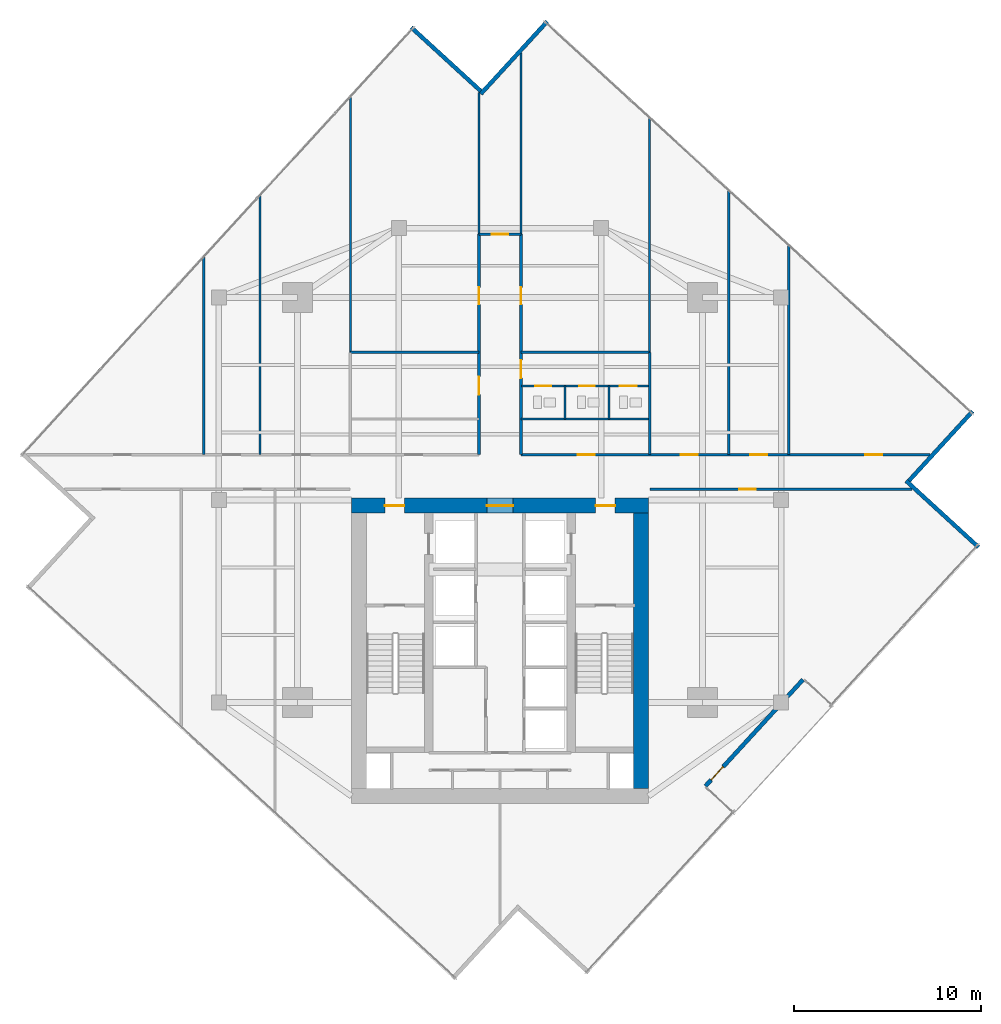
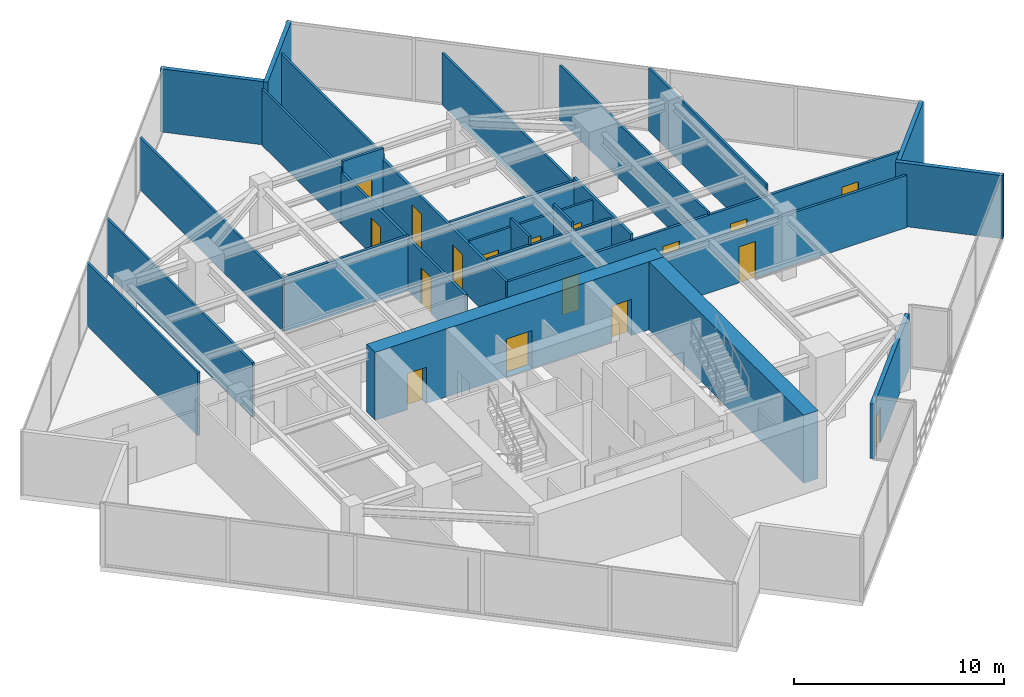
# One storey, part 23 of 26: 27 walls, 17 doors, 17 openings.
"""IFC4 building model written with IfcOpenShell, lengths in metres."""

from ifc_helpers import new_model, si_unit, direction, frame, frame_2d, origin, place, context, subcontext, project, spatial, rectangle, extrude, material, layer, layer_set, type_object, element, fill, save


model = new_model("IFC4")

# Units and contexts
model_context = context("Model", 3, precision=1e-05, world=origin(), true_north=direction((0.0, 1.0)))
body_context = subcontext(model_context, "Body", "Model", "MODEL_VIEW")
ifc_project = project(units=[si_unit("LENGTHUNIT", "METRE"), si_unit("AREAUNIT", "SQUARE_METRE"), si_unit("VOLUMEUNIT", "CUBIC_METRE"), si_unit("PLANEANGLEUNIT", "RADIAN"), si_unit("MASSUNIT", "GRAM", prefix="KILO")], contexts=[model_context])

# Site, building, storey
site_placement = place(None, origin())
site = spatial("IfcSite", under=ifc_project, at=site_placement, CompositionType="ELEMENT")
building_placement = place(site_placement, origin())
building = spatial("IfcBuilding", under=site, at=building_placement, Name="Krantzveldt Concourse Tower", CompositionType="ELEMENT")
storey_placement = place(building_placement, frame((0.0, 0.0, 219.14990234375)))
storey = spatial("IfcBuildingStorey", under=building, at=storey_placement, Name="L53", CompositionType="ELEMENT", Elevation=219.14990234375)

# Wall
ifc_material_1 = material(Name="Anodised aluminium 6063-T6", Category="aluminium")
ifc_layer_1 = layer(ifc_material_1, 0.219970703125, Name="Anodised aluminium 6063-T6", Category="aluminium")
ifc_layer_set_1 = layer_set([ifc_layer_1], Name="Anodised aluminium 6063-T6 (WL-EXT-NOTCH220)")
wall_type_1 = type_object("IfcWallType", Name="WL-EXT-NOTCH220", PredefinedType="ELEMENTEDWALL", material=ifc_layer_set_1)
wall_1_placement = place(storey_placement, frame((34.969482421875, 48.518310546875, 0.0), z_axis=(0.0, 0.0, 1.0), x_axis=(-0.737285215553, 0.675581609375, 0.0)))
element("IfcWall", 1, at=wall_1_placement, inside=storey, type_object=wall_type_1, Name="EW-L53-NCH00", PredefinedType="ELEMENTEDWALL", context=body_context, shape_type="SweptSolid", body=[
    extrude(rectangle(XDim=5.02490234375, YDim=0.219970703125, at=frame_2d((2.512451171875, 0.0))), origin(), (0.0, 0.0, 1.0), 3.670166015625),
])

# Wall, opening, door
wall_2_placement = place(storey_placement, frame((52.15625, 17.11083984375, 0.0), z_axis=(0.0, 0.0, 1.0), x_axis=(-0.675590917682, -0.737276686153, 0.0)))
wall_2 = element("IfcWall", 2, at=wall_2_placement, inside=storey, type_object=wall_type_1, Name="EW-L53-TSLOT", PredefinedType="ELEMENTEDWALL", context=body_context, shape_type="SweptSolid", body=[
    extrude(rectangle(XDim=7.68994140625, YDim=0.219970703125, at=frame_2d((3.844970703125, 0.0))), origin(), (0.0, 0.0, 1.0), 3.18017578125),
])
opening_1_placement = place(wall_2_placement, frame((6.2900390625, 0.0, 0.0)))
opening_1 = element("IfcOpeningElement", 3, at=opening_1_placement, cuts=wall_2, Name="Opening D-EX95", PredefinedType="OPENING", context=body_context, shape_type="SweptSolid", body=[
    extrude(rectangle(XDim=0.949951171875, YDim=2.10009765625, at=frame_2d((0.47509765625, 1.050048828125))), frame((0.0, 0.1201171875, 0.0), z_axis=(0.0, -1.0, 0.0), x_axis=(1.0, 0.0, 0.0)), (0.0, 0.0, 1.0), 0.239990234375),
])
door_type_1 = type_object("IfcDoorType", Name="DR-EXT-950", OperationType="SINGLE_SWING_LEFT", PredefinedType="DOOR", material=ifc_material_1)
door_1_placement = place(opening_1_placement, origin())
door_1 = element("IfcDoor", 4, at=door_1_placement, inside=storey, type_object=door_type_1, Name="DR-L53-TERR", OperationType="SINGLE_SWING_LEFT", OverallHeight=2.10009765625, OverallWidth=0.949951171875, PredefinedType="DOOR", context=body_context, shape_type="SweptSolid", body=[
    extrude(rectangle(XDim=0.949951171875, YDim=2.10009765625, at=frame_2d((0.47509765625, 1.050048828125))), frame((0.0, 0.02490234375, 0.0), z_axis=(0.0, -1.0, 0.0), x_axis=(1.0, 0.0, 0.0)), (0.0, 0.0, 1.0), 0.050048828125),
])
fill(opening_1, door_1)

# Walls
wall_3_placement = place(storey_placement, frame((61.530029296875, 24.18017578125, 0.0), z_axis=(0.0, 0.0, 1.0), x_axis=(-0.737293236511, 0.675572855727, 0.0)))
element("IfcWall", 5, at=wall_3_placement, inside=storey, type_object=wall_type_1, Name="EW-L53-NCH12", PredefinedType="ELEMENTEDWALL", context=body_context, shape_type="SweptSolid", body=[
    extrude(rectangle(XDim=5.2451171875, YDim=0.219970703125, at=frame_2d((2.62255859375, 0.0))), origin(), (0.0, 0.0, 1.0), 3.670166015625),
])
wall_4_placement = place(storey_placement, frame((57.818359375, 27.73046875, 0.0), z_axis=(0.0, 0.0, 1.0), x_axis=(0.675581609375, 0.737285215553, 0.0)))
element("IfcWall", 6, at=wall_4_placement, inside=storey, type_object=wall_type_1, Name="EW-L53-NCH13", PredefinedType="ELEMENTEDWALL", context=body_context, shape_type="SweptSolid", body=[
    extrude(rectangle(XDim=5.02490234375, YDim=0.219970703125, at=frame_2d((2.512451171875, 0.0))), origin(), (0.0, 0.0, 1.0), 3.670166015625),
])
wall_5_placement = place(storey_placement, frame((38.519775390625, 52.22998046875, 0.0), z_axis=(0.0, 0.0, 1.0), x_axis=(-0.675596040677, -0.737271991752, 0.0)))
element("IfcWall", 7, at=wall_5_placement, inside=storey, type_object=wall_type_1, Name="EW-L53-NCH15", PredefinedType="ELEMENTEDWALL", context=body_context, shape_type="SweptSolid", body=[
    extrude(rectangle(XDim=5.244873046875, YDim=0.219970703125, at=frame_2d((2.62255859375, 0.0))), origin(), (0.0, 0.0, 1.0), 3.670166015625),
])
ifc_material_2 = material(Name="Fire-rated gypsum plasterboard on steel stud", Category="steel")
ifc_layer_2 = layer(ifc_material_2, 0.1201171875, Name="Fire-rated gypsum plasterboard on steel stud", Category="steel")
ifc_layer_set_2 = layer_set([ifc_layer_2], Name="Fire-rated gypsum plasterboard on steel stud (WL-PART-120)")
wall_type_2 = type_object("IfcWallType", Name="WL-PART-120", PredefinedType="PARTITIONING", material=ifc_layer_set_2)
wall_6_placement = place(storey_placement, frame((37.1201171875, 31.02001953125, 0.0), z_axis=(0.0, 0.0, 1.0), x_axis=(1.0, 0.0, 0.0)))
element("IfcWall", 8, at=wall_6_placement, inside=storey, type_object=wall_type_2, Name="WP-L53-ISMR", PredefinedType="PARTITIONING", context=body_context, shape_type="SweptSolid", body=[
    extrude(rectangle(XDim=6.85986328125, YDim=0.1201171875, at=frame_2d((3.429931640625, 0.0))), origin(), (0.0, 0.0, 1.0), 3.18017578125),
])

# Wall, openings, doors
wall_7_placement = place(storey_placement, frame((37.14990234375, 32.780029296875, 0.0), z_axis=(0.0, 0.0, 1.0), x_axis=(1.0, 0.0, 0.0)))
wall_7 = element("IfcWall", 9, at=wall_7_placement, inside=storey, type_object=wall_type_2, Name="WP-L53-WCHDR", PredefinedType="PARTITIONING", context=body_context, shape_type="SweptSolid", body=[
    extrude(rectangle(XDim=6.800048828125, YDim=0.1201171875, at=frame_2d((3.39990234375, 0.0))), origin(), (0.0, 0.0, 1.0), 3.18017578125),
])
opening_2_placement = place(wall_7_placement, frame((0.72509765625, 0.0, 0.0)))
opening_2 = element("IfcOpeningElement", 10, at=opening_2_placement, cuts=wall_7, Name="Opening D-IN085", PredefinedType="OPENING", context=body_context, shape_type="SweptSolid", body=[
    extrude(rectangle(XDim=0.85009765625, YDim=2.10009765625, at=frame_2d((0.425048828125, 1.050048828125))), frame((0.0, 0.070068359375, 0.0), z_axis=(0.0, -1.0, 0.0), x_axis=(1.0, 0.0, 0.0)), (0.0, 0.0, 1.0), 0.14013671875),
])
opening_3_placement = place(wall_7_placement, frame((3.06494140625, 0.0, 0.0)))
opening_3 = element("IfcOpeningElement", 11, at=opening_3_placement, cuts=wall_7, Name="Opening D-IN085", PredefinedType="OPENING", context=body_context, shape_type="SweptSolid", body=[
    extrude(rectangle(XDim=0.85009765625, YDim=2.10009765625, at=frame_2d((0.425048828125, 1.050048828125))), frame((0.0, 0.070068359375, 0.0), z_axis=(0.0, -1.0, 0.0), x_axis=(1.0, 0.0, 0.0)), (0.0, 0.0, 1.0), 0.14013671875),
])
opening_4_placement = place(wall_7_placement, frame((5.25, 0.0, 0.0)))
opening_4 = element("IfcOpeningElement", 12, at=opening_4_placement, cuts=wall_7, Name="Opening D-IN090", PredefinedType="OPENING", context=body_context, shape_type="SweptSolid", body=[
    extrude(rectangle(XDim=0.89990234375, YDim=2.10009765625, at=frame_2d((0.449951171875, 1.050048828125))), frame((0.0, 0.070068359375, 0.0), z_axis=(0.0, -1.0, 0.0), x_axis=(1.0, 0.0, 0.0)), (0.0, 0.0, 1.0), 0.14013671875),
])
ifc_material_3 = material(Name="Hardwood timber", Category="wood")
door_type_2 = type_object("IfcDoorType", Name="DR-INT-850", OperationType="SINGLE_SWING_LEFT", PredefinedType="DOOR", material=ifc_material_3)
door_2_placement = place(opening_2_placement, origin())
door_2 = element("IfcDoor", 13, at=door_2_placement, inside=storey, type_object=door_type_2, Name="DR-L53-WCM", OperationType="SINGLE_SWING_LEFT", OverallHeight=2.10009765625, OverallWidth=0.85009765625, PredefinedType="DOOR", context=body_context, shape_type="SweptSolid", body=[
    extrude(rectangle(XDim=0.85009765625, YDim=2.10009765625, at=frame_2d((0.425048828125, 1.050048828125))), frame((0.0, 0.02490234375, 0.0), z_axis=(0.0, -1.0, 0.0), x_axis=(1.0, 0.0, 0.0)), (0.0, 0.0, 1.0), 0.050048828125),
])
fill(opening_2, door_2)
door_3_placement = place(opening_3_placement, origin())
door_3 = element("IfcDoor", 14, at=door_3_placement, inside=storey, type_object=door_type_2, Name="DR-L53-WCF", OperationType="SINGLE_SWING_RIGHT", OverallHeight=2.10009765625, OverallWidth=0.85009765625, PredefinedType="DOOR", context=body_context, shape_type="SweptSolid", body=[
    extrude(rectangle(XDim=0.85009765625, YDim=2.10009765625, at=frame_2d((0.425048828125, 1.050048828125))), frame((0.0, 0.02490234375, 0.0), z_axis=(0.0, -1.0, 0.0), x_axis=(1.0, 0.0, 0.0)), (0.0, 0.0, 1.0), 0.050048828125),
])
fill(opening_3, door_3)
door_type_3 = type_object("IfcDoorType", Name="DR-INT-900", OperationType="SINGLE_SWING_LEFT", PredefinedType="DOOR", material=ifc_material_3)
door_4_placement = place(opening_4_placement, origin())
door_4 = element("IfcDoor", 15, at=door_4_placement, inside=storey, type_object=door_type_3, Name="DR-L53-WCA", OperationType="SINGLE_SWING_LEFT", OverallHeight=2.10009765625, OverallWidth=0.89990234375, PredefinedType="DOOR", context=body_context, shape_type="SweptSolid", body=[
    extrude(rectangle(XDim=0.89990234375, YDim=2.10009765625, at=frame_2d((0.449951171875, 1.050048828125))), frame((0.0, 0.02490234375, 0.0), z_axis=(0.0, -1.0, 0.0), x_axis=(1.0, 0.0, 0.0)), (0.0, 0.0, 1.0), 0.050048828125),
])
fill(opening_4, door_4)

# Walls
for number, where, z_axis, x_axis, name in (
    (16, (39.469970703125, 31.02001953125, 0.0), (0.0, 0.0, 1.0), (0.0, 1.0, 0.0), "WP-L53-WCD1"),
    (17, (41.81005859375, 31.02001953125, 0.0), (0.0, 0.0, 1.0), (0.0, 1.0, 0.0), "WP-L53-WCD2"),
):
    element("IfcWall", number, at=place(storey_placement, frame(where, z_axis=z_axis, x_axis=x_axis)), inside=storey, type_object=wall_type_2, Name=name, PredefinedType="PARTITIONING", context=body_context, shape_type="SweptSolid", body=[
        extrude(rectangle(XDim=1.760009765625, YDim=0.1201171875, at=frame_2d((0.8798828125, 0.0))), origin(), (0.0, 0.0, 1.0), 3.670166015625),
    ])
wall_8_placement = place(storey_placement, frame((34.8798828125, 40.8798828125, 0.0), z_axis=(0.0, 0.0, 1.0), x_axis=(0.0, 1.0, 0.0)))
element("IfcWall", 18, at=wall_8_placement, inside=storey, type_object=wall_type_2, Name="WP-L53-NTL", PredefinedType="PARTITIONING", context=body_context, shape_type="SweptSolid", body=[
    extrude(rectangle(XDim=7.564453125, YDim=0.1201171875, at=frame_2d((3.7822265625, 0.0))), origin(), (0.0, 0.0, 1.0), 3.280029296875),
])
wall_9_placement = place(storey_placement, frame((37.1201171875, 40.8798828125, 0.0), z_axis=(0.0, 0.0, 1.0), x_axis=(0.0, 1.0, 0.0)))
element("IfcWall", 19, at=wall_9_placement, inside=storey, type_object=wall_type_2, Name="WP-L53-NTR", PredefinedType="PARTITIONING", context=body_context, shape_type="SweptSolid", body=[
    extrude(rectangle(XDim=9.65234375, YDim=0.1201171875, at=frame_2d((4.826171875, 0.0))), origin(), (0.0, 0.0, 1.0), 3.280029296875),
])
wall_10_placement = place(storey_placement, frame((20.199951171875, 29.1201171875, 0.0), z_axis=(0.0, 0.0, 1.0), x_axis=(0.0, 1.0, 0.0)))
element("IfcWall", 20, at=wall_10_placement, inside=storey, type_object=wall_type_2, Name="WP-L53-NWX1", PredefinedType="PARTITIONING", context=body_context, shape_type="SweptSolid", body=[
    extrude(rectangle(XDim=10.5478515625, YDim=0.1201171875, at=frame_2d((5.27392578125, 0.0))), origin(), (0.0, 0.0, 1.0), 3.670166015625),
])
wall_11_placement = place(storey_placement, frame((23.199951171875, 29.1201171875, 0.0), z_axis=(0.0, 0.0, 1.0), x_axis=(0.0, 1.0, 0.0)))
element("IfcWall", 21, at=wall_11_placement, inside=storey, type_object=wall_type_2, Name="WP-L53-NWX2", PredefinedType="PARTITIONING", context=body_context, shape_type="SweptSolid", body=[
    extrude(rectangle(XDim=13.82177734375, YDim=0.1201171875, at=frame_2d((6.910888671875, 0.0))), origin(), (0.0, 0.0, 1.0), 3.18017578125),
])
wall_12_placement = place(storey_placement, frame((28.02001953125, 34.580078125, 0.0), z_axis=(0.0, 0.0, 1.0), x_axis=(0.0, 1.0, 0.0)))
element("IfcWall", 22, at=wall_12_placement, inside=storey, type_object=wall_type_2, Name="WP-L53-ISWL2", PredefinedType="PARTITIONING", context=body_context, shape_type="SweptSolid", body=[
    extrude(rectangle(XDim=13.621826171875, YDim=0.1201171875, at=frame_2d((6.81103515625, 0.0))), origin(), (0.0, 0.0, 1.0), 3.030029296875),
])
wall_13_placement = place(storey_placement, frame((43.97998046875, 34.580078125, 0.0), z_axis=(0.0, 0.0, 1.0), x_axis=(0.0, 1.0, 0.0)))
element("IfcWall", 23, at=wall_13_placement, inside=storey, type_object=wall_type_2, Name="WP-L53-ISER2", PredefinedType="PARTITIONING", context=body_context, shape_type="SweptSolid", body=[
    extrude(rectangle(XDim=12.490478515625, YDim=0.1201171875, at=frame_2d((6.2451171875, 0.0))), origin(), (0.0, 0.0, 1.0), 3.030029296875),
])
wall_14_placement = place(storey_placement, frame((48.199951171875, 29.1201171875, 0.0), z_axis=(0.0, 0.0, 1.0), x_axis=(0.0, 1.0, 0.0)))
element("IfcWall", 24, at=wall_14_placement, inside=storey, type_object=wall_type_2, Name="WP-L53-NEX1", PredefinedType="PARTITIONING", context=body_context, shape_type="SweptSolid", body=[
    extrude(rectangle(XDim=14.08349609375, YDim=0.1201171875, at=frame_2d((7.041748046875, 0.0))), origin(), (0.0, 0.0, 1.0), 3.18017578125),
])
wall_15_placement = place(storey_placement, frame((51.39990234375, 29.1201171875, 0.0), z_axis=(0.0, 0.0, 1.0), x_axis=(0.0, 1.0, 0.0)))
element("IfcWall", 25, at=wall_15_placement, inside=storey, type_object=wall_type_2, Name="WP-L53-NEX2", PredefinedType="PARTITIONING", context=body_context, shape_type="SweptSolid", body=[
    extrude(rectangle(XDim=11.1513671875, YDim=0.1201171875, at=frame_2d((5.57568359375, 0.0))), origin(), (0.0, 0.0, 1.0), 3.670166015625),
])

# Wall, openings, doors
ifc_layer_3 = layer(ifc_material_2, 0.139892578125, Name="Fire-rated gypsum plasterboard on steel stud", Category="steel")
ifc_layer_set_3 = layer_set([ifc_layer_3], Name="Fire-rated gypsum plasterboard on steel stud (WL-PART-140)")
wall_type_3 = type_object("IfcWallType", Name="WL-PART-140", PredefinedType="PARTITIONING", material=ifc_layer_set_3)
wall_16_placement = place(storey_placement, frame((34.8798828125, 29.1201171875, 0.0), z_axis=(0.0, 0.0, 1.0), x_axis=(0.0, 1.0, 0.0)))
wall_16 = element("IfcWall", 26, at=wall_16_placement, inside=storey, type_object=wall_type_3, Name="WP-L53-SPWL", PredefinedType="PARTITIONING", context=body_context, shape_type="SweptSolid", body=[
    extrude(rectangle(XDim=11.759765625, YDim=0.139892578125, at=frame_2d((5.8798828125, 0.0))), origin(), (0.0, 0.0, 1.0), 3.030029296875),
])
opening_5_placement = place(wall_16_placement, frame((3.205078125, 0.0, 0.0)))
opening_5 = element("IfcOpeningElement", 27, at=opening_5_placement, cuts=wall_16, Name="Opening D-IN095", PredefinedType="OPENING", context=body_context, shape_type="SweptSolid", body=[
    extrude(rectangle(XDim=0.949951171875, YDim=2.10009765625, at=frame_2d((0.47509765625, 1.050048828125))), frame((0.0, 0.080078125, 0.0), z_axis=(0.0, -1.0, 0.0), x_axis=(1.0, 0.0, 0.0)), (0.0, 0.0, 1.0), 0.159912109375),
])
opening_6_placement = place(wall_16_placement, frame((8.02001953125, 0.0, 0.0)))
opening_6 = element("IfcOpeningElement", 28, at=opening_6_placement, cuts=wall_16, Name="Opening D-IN090", PredefinedType="OPENING", context=body_context, shape_type="SweptSolid", body=[
    extrude(rectangle(XDim=0.89990234375, YDim=2.10009765625, at=frame_2d((0.449951171875, 1.050048828125))), frame((0.0, 0.080078125, 0.0), z_axis=(0.0, -1.0, 0.0), x_axis=(1.0, 0.0, 0.0)), (0.0, 0.0, 1.0), 0.159912109375),
])
door_5_placement = place(opening_6_placement, origin())
door_5 = element("IfcDoor", 29, at=door_5_placement, inside=storey, type_object=door_type_3, Name="DR-L53-NWI1", OperationType="SINGLE_SWING_LEFT", OverallHeight=2.10009765625, OverallWidth=0.89990234375, PredefinedType="DOOR", context=body_context, shape_type="SweptSolid", body=[
    extrude(rectangle(XDim=0.89990234375, YDim=2.10009765625, at=frame_2d((0.449951171875, 1.050048828125))), frame((0.0, 0.02490234375, 0.0), z_axis=(0.0, -1.0, 0.0), x_axis=(1.0, 0.0, 0.0)), (0.0, 0.0, 1.0), 0.050048828125),
])
fill(opening_6, door_5)
door_type_4 = type_object("IfcDoorType", Name="DR-INT-950", OperationType="SINGLE_SWING_LEFT", PredefinedType="DOOR", material=ifc_material_3)
door_6_placement = place(opening_5_placement, origin())
door_6 = element("IfcDoor", 30, at=door_6_placement, inside=storey, type_object=door_type_4, Name="DR-L53-PNT", OperationType="SINGLE_SWING_RIGHT", OverallHeight=2.10009765625, OverallWidth=0.949951171875, PredefinedType="DOOR", context=body_context, shape_type="SweptSolid", body=[
    extrude(rectangle(XDim=0.949951171875, YDim=2.10009765625, at=frame_2d((0.47509765625, 1.050048828125))), frame((0.0, 0.02490234375, 0.0), z_axis=(0.0, -1.0, 0.0), x_axis=(1.0, 0.0, 0.0)), (0.0, 0.0, 1.0), 0.050048828125),
])
fill(opening_5, door_6)

wall_17_placement = place(storey_placement, frame((37.1201171875, 29.1201171875, 0.0), z_axis=(0.0, 0.0, 1.0), x_axis=(0.0, 1.0, 0.0)))
wall_17 = element("IfcWall", 31, at=wall_17_placement, inside=storey, type_object=wall_type_3, Name="WP-L53-SPER", PredefinedType="PARTITIONING", context=body_context, shape_type="SweptSolid", body=[
    extrude(rectangle(XDim=11.759765625, YDim=0.139892578125, at=frame_2d((5.8798828125, 0.0))), origin(), (0.0, 0.0, 1.0), 3.030029296875),
])
opening_7_placement = place(wall_17_placement, frame((4.0849609375, 0.0, 0.0)))
opening_7 = element("IfcOpeningElement", 32, at=opening_7_placement, cuts=wall_17, Name="Opening D-IN095", PredefinedType="OPENING", context=body_context, shape_type="SweptSolid", body=[
    extrude(rectangle(XDim=0.949951171875, YDim=2.10009765625, at=frame_2d((0.47509765625, 1.050048828125))), frame((0.0, 0.080078125, 0.0), z_axis=(0.0, -1.0, 0.0), x_axis=(1.0, 0.0, 0.0)), (0.0, 0.0, 1.0), 0.159912109375),
])
opening_8_placement = place(wall_17_placement, frame((8.02001953125, 0.0, 0.0)))
opening_8 = element("IfcOpeningElement", 33, at=opening_8_placement, cuts=wall_17, Name="Opening D-IN090", PredefinedType="OPENING", context=body_context, shape_type="SweptSolid", body=[
    extrude(rectangle(XDim=0.89990234375, YDim=2.10009765625, at=frame_2d((0.449951171875, 1.050048828125))), frame((0.0, 0.080078125, 0.0), z_axis=(0.0, -1.0, 0.0), x_axis=(1.0, 0.0, 0.0)), (0.0, 0.0, 1.0), 0.159912109375),
])
door_7_placement = place(opening_8_placement, origin())
door_7 = element("IfcDoor", 34, at=door_7_placement, inside=storey, type_object=door_type_3, Name="DR-L53-NEI1", OperationType="SINGLE_SWING_LEFT", OverallHeight=2.10009765625, OverallWidth=0.89990234375, PredefinedType="DOOR", context=body_context, shape_type="SweptSolid", body=[
    extrude(rectangle(XDim=0.89990234375, YDim=2.10009765625, at=frame_2d((0.449951171875, 1.050048828125))), frame((0.0, 0.02490234375, 0.0), z_axis=(0.0, -1.0, 0.0), x_axis=(1.0, 0.0, 0.0)), (0.0, 0.0, 1.0), 0.050048828125),
])
fill(opening_8, door_7)
door_8_placement = place(opening_7_placement, origin())
door_8 = element("IfcDoor", 35, at=door_8_placement, inside=storey, type_object=door_type_4, Name="DR-L53-WCLB", OperationType="SINGLE_SWING_LEFT", OverallHeight=2.10009765625, OverallWidth=0.949951171875, PredefinedType="DOOR", context=body_context, shape_type="SweptSolid", body=[
    extrude(rectangle(XDim=0.949951171875, YDim=2.10009765625, at=frame_2d((0.47509765625, 1.050048828125))), frame((0.0, 0.02490234375, 0.0), z_axis=(0.0, -1.0, 0.0), x_axis=(1.0, 0.0, 0.0)), (0.0, 0.0, 1.0), 0.050048828125),
])
fill(opening_7, door_8)

# Wall, opening, door
wall_18_placement = place(storey_placement, frame((34.8798828125, 40.8798828125, 0.0), z_axis=(0.0, 0.0, 1.0), x_axis=(1.0, 0.0, 0.0)))
wall_18 = element("IfcWall", 36, at=wall_18_placement, inside=storey, type_object=wall_type_3, Name="WP-L53-SPTOP", PredefinedType="PARTITIONING", context=body_context, shape_type="SweptSolid", body=[
    extrude(rectangle(XDim=2.240234375, YDim=0.139892578125, at=frame_2d((1.1201171875, 0.0))), origin(), (0.0, 0.0, 1.0), 3.670166015625),
])
opening_9_placement = place(wall_18_placement, frame((0.669921875, 0.0, 0.0)))
opening_9 = element("IfcOpeningElement", 37, at=opening_9_placement, cuts=wall_18, Name="Opening D-IN090", PredefinedType="OPENING", context=body_context, shape_type="SweptSolid", body=[
    extrude(rectangle(XDim=0.89990234375, YDim=2.10009765625, at=frame_2d((0.449951171875, 1.050048828125))), frame((0.0, 0.080078125, 0.0), z_axis=(0.0, -1.0, 0.0), x_axis=(1.0, 0.0, 0.0)), (0.0, 0.0, 1.0), 0.159912109375),
])
door_9_placement = place(opening_9_placement, origin())
door_9 = element("IfcDoor", 38, at=door_9_placement, inside=storey, type_object=door_type_3, Name="DR-L53-NTOP", OperationType="SINGLE_SWING_LEFT", OverallHeight=2.10009765625, OverallWidth=0.89990234375, PredefinedType="DOOR", context=body_context, shape_type="SweptSolid", body=[
    extrude(rectangle(XDim=0.89990234375, YDim=2.10009765625, at=frame_2d((0.449951171875, 1.050048828125))), frame((0.0, 0.02490234375, 0.0), z_axis=(0.0, -1.0, 0.0), x_axis=(1.0, 0.0, 0.0)), (0.0, 0.0, 1.0), 0.050048828125),
])
fill(opening_9, door_9)

# Wall, openings, doors
wall_19_placement = place(storey_placement, frame((37.1201171875, 29.1201171875, 0.0), z_axis=(0.0, 0.0, 1.0), x_axis=(1.0, 0.0, 0.0)))
wall_19 = element("IfcWall", 39, at=wall_19_placement, inside=storey, type_object=wall_type_3, Name="WP-L53-EWNR", PredefinedType="PARTITIONING", context=body_context, shape_type="SweptSolid", body=[
    extrude(rectangle(XDim=21.8154296875, YDim=0.139892578125, at=frame_2d((10.90771484375, 0.0))), origin(), (0.0, 0.0, 1.0), 3.030029296875),
])
opening_10_placement = place(wall_19_placement, frame((3.030029296875, 0.0, 0.0)))
opening_10 = element("IfcOpeningElement", 40, at=opening_10_placement, cuts=wall_19, Name="Opening D-IN090", PredefinedType="OPENING", context=body_context, shape_type="SweptSolid", body=[
    extrude(rectangle(XDim=0.89990234375, YDim=2.10009765625, at=frame_2d((0.449951171875, 1.050048828125))), frame((0.0, 0.080078125, 0.0), z_axis=(0.0, -1.0, 0.0), x_axis=(1.0, 0.0, 0.0)), (0.0, 0.0, 1.0), 0.159912109375),
])
opening_11_placement = place(wall_19_placement, frame((8.52001953125, 0.0, 0.0)))
opening_11 = element("IfcOpeningElement", 41, at=opening_11_placement, cuts=wall_19, Name="Opening D-IN090", PredefinedType="OPENING", context=body_context, shape_type="SweptSolid", body=[
    extrude(rectangle(XDim=0.89990234375, YDim=2.10009765625, at=frame_2d((0.449951171875, 1.050048828125))), frame((0.0, 0.080078125, 0.0), z_axis=(0.0, -1.0, 0.0), x_axis=(1.0, 0.0, 0.0)), (0.0, 0.0, 1.0), 0.159912109375),
])
opening_12_placement = place(wall_19_placement, frame((12.22998046875, 0.0, 0.0)))
opening_12 = element("IfcOpeningElement", 42, at=opening_12_placement, cuts=wall_19, Name="Opening D-IN090", PredefinedType="OPENING", context=body_context, shape_type="SweptSolid", body=[
    extrude(rectangle(XDim=0.89990234375, YDim=2.10009765625, at=frame_2d((0.449951171875, 1.050048828125))), frame((0.0, 0.080078125, 0.0), z_axis=(0.0, -1.0, 0.0), x_axis=(1.0, 0.0, 0.0)), (0.0, 0.0, 1.0), 0.159912109375),
])
opening_13_placement = place(wall_19_placement, frame((18.366943359375, 0.0, 0.0)))
opening_13 = element("IfcOpeningElement", 43, at=opening_13_placement, cuts=wall_19, Name="Opening D-IN090", PredefinedType="OPENING", context=body_context, shape_type="SweptSolid", body=[
    extrude(rectangle(XDim=0.89990234375, YDim=2.10009765625, at=frame_2d((0.449951171875, 1.050048828125))), frame((0.0, 0.080078125, 0.0), z_axis=(0.0, -1.0, 0.0), x_axis=(1.0, 0.0, 0.0)), (0.0, 0.0, 1.0), 0.159912109375),
])
door_10_placement = place(opening_10_placement, origin())
door_10 = element("IfcDoor", 44, at=door_10_placement, inside=storey, type_object=door_type_3, Name="DR-L53-ALCR", OperationType="SINGLE_SWING_RIGHT", OverallHeight=2.10009765625, OverallWidth=0.89990234375, PredefinedType="DOOR", context=body_context, shape_type="SweptSolid", body=[
    extrude(rectangle(XDim=0.89990234375, YDim=2.10009765625, at=frame_2d((0.449951171875, 1.050048828125))), frame((0.0, 0.02490234375, 0.0), z_axis=(0.0, -1.0, 0.0), x_axis=(1.0, 0.0, 0.0)), (0.0, 0.0, 1.0), 0.050048828125),
])
fill(opening_10, door_10)
door_11_placement = place(opening_11_placement, origin())
door_11 = element("IfcDoor", 45, at=door_11_placement, inside=storey, type_object=door_type_3, Name="DR-L53-NEX1", OperationType="SINGLE_SWING_RIGHT", OverallHeight=2.10009765625, OverallWidth=0.89990234375, PredefinedType="DOOR", context=body_context, shape_type="SweptSolid", body=[
    extrude(rectangle(XDim=0.89990234375, YDim=2.10009765625, at=frame_2d((0.449951171875, 1.050048828125))), frame((0.0, 0.02490234375, 0.0), z_axis=(0.0, -1.0, 0.0), x_axis=(1.0, 0.0, 0.0)), (0.0, 0.0, 1.0), 0.050048828125),
])
fill(opening_11, door_11)
door_12_placement = place(opening_12_placement, origin())
door_12 = element("IfcDoor", 46, at=door_12_placement, inside=storey, type_object=door_type_3, Name="DR-L53-NEX2", OperationType="SINGLE_SWING_RIGHT", OverallHeight=2.10009765625, OverallWidth=0.89990234375, PredefinedType="DOOR", context=body_context, shape_type="SweptSolid", body=[
    extrude(rectangle(XDim=0.89990234375, YDim=2.10009765625, at=frame_2d((0.449951171875, 1.050048828125))), frame((0.0, 0.02490234375, 0.0), z_axis=(0.0, -1.0, 0.0), x_axis=(1.0, 0.0, 0.0)), (0.0, 0.0, 1.0), 0.050048828125),
])
fill(opening_12, door_12)
door_13_placement = place(opening_13_placement, origin())
door_13 = element("IfcDoor", 47, at=door_13_placement, inside=storey, type_object=door_type_3, Name="DR-L53-NEX3", OperationType="SINGLE_SWING_RIGHT", OverallHeight=2.10009765625, OverallWidth=0.89990234375, PredefinedType="DOOR", context=body_context, shape_type="SweptSolid", body=[
    extrude(rectangle(XDim=0.89990234375, YDim=2.10009765625, at=frame_2d((0.449951171875, 1.050048828125))), frame((0.0, 0.02490234375, 0.0), z_axis=(0.0, -1.0, 0.0), x_axis=(1.0, 0.0, 0.0)), (0.0, 0.0, 1.0), 0.050048828125),
])
fill(opening_13, door_13)

# Wall, opening, door
wall_20_placement = place(storey_placement, frame((44.0, 27.280029296875, 0.0), z_axis=(0.0, 0.0, 1.0), x_axis=(1.0, 0.0, 0.0)))
wall_20 = element("IfcWall", 48, at=wall_20_placement, inside=storey, type_object=wall_type_3, Name="WP-L53-EWSR", PredefinedType="PARTITIONING", context=body_context, shape_type="SweptSolid", body=[
    extrude(rectangle(XDim=13.976806640625, YDim=0.139892578125, at=frame_2d((6.98828125, 0.0))), origin(), (0.0, 0.0, 1.0), 3.030029296875),
])
opening_14_placement = place(wall_20_placement, frame((4.75, 0.0, 0.0)))
opening_14 = element("IfcOpeningElement", 49, at=opening_14_placement, cuts=wall_20, Name="Opening D-IN090", PredefinedType="OPENING", context=body_context, shape_type="SweptSolid", body=[
    extrude(rectangle(XDim=0.89990234375, YDim=2.10009765625, at=frame_2d((0.449951171875, 1.050048828125))), frame((0.0, 0.080078125, 0.0), z_axis=(0.0, -1.0, 0.0), x_axis=(1.0, 0.0, 0.0)), (0.0, 0.0, 1.0), 0.159912109375),
])
door_14_placement = place(opening_14_placement, origin())
door_14 = element("IfcDoor", 50, at=door_14_placement, inside=storey, type_object=door_type_3, Name="DR-L53-SEX1", OperationType="SINGLE_SWING_RIGHT", OverallHeight=2.10009765625, OverallWidth=0.89990234375, PredefinedType="DOOR", context=body_context, shape_type="SweptSolid", body=[
    extrude(rectangle(XDim=0.89990234375, YDim=2.10009765625, at=frame_2d((0.449951171875, 1.050048828125))), frame((0.0, 0.02490234375, 0.0), z_axis=(0.0, -1.0, 0.0), x_axis=(1.0, 0.0, 0.0)), (0.0, 0.0, 1.0), 0.050048828125),
])
fill(opening_14, door_14)

# Walls
for number, where, z_axis, x_axis, name in (
    (51, (28.02001953125, 34.580078125, 0.0), (0.0, 0.0, 1.0), (1.0, 0.0, 0.0), "WP-L53-ISNL"),
    (52, (37.1201171875, 34.580078125, 0.0), (0.0, 0.0, 1.0), (1.0, 0.0, 0.0), "WP-L53-ISNR"),
):
    element("IfcWall", number, at=place(storey_placement, frame(where, z_axis=z_axis, x_axis=x_axis)), inside=storey, type_object=wall_type_3, Name=name, PredefinedType="PARTITIONING", context=body_context, shape_type="SweptSolid", body=[
        extrude(rectangle(XDim=6.85986328125, YDim=0.139892578125, at=frame_2d((3.429931640625, 0.0))), origin(), (0.0, 0.0, 1.0), 3.18017578125),
    ])
wall_21_placement = place(storey_placement, frame((43.97998046875, 29.1201171875, 0.0), z_axis=(0.0, 0.0, 1.0), x_axis=(0.0, 1.0, 0.0)))
element("IfcWall", 53, at=wall_21_placement, inside=storey, type_object=wall_type_3, Name="WP-L53-ISER", PredefinedType="PARTITIONING", context=body_context, shape_type="SweptSolid", body=[
    extrude(rectangle(XDim=5.4599609375, YDim=0.139892578125, at=frame_2d((2.72998046875, 0.0))), origin(), (0.0, 0.0, 1.0), 3.3701171875),
])

# Wall, openings, doors
ifc_material_4 = material(Name="Concrete C60/75", Category="concrete")
ifc_layer_4 = layer(ifc_material_4, 0.800048828125, Name="Concrete C60/75", Category="concrete")
ifc_layer_set_4 = layer_set([ifc_layer_4], Name="Concrete C60/75 (WL-SHEAR-800)")
wall_type_4 = type_object("IfcWallType", Name="WL-SHEAR-800", PredefinedType="SHEAR", material=ifc_layer_set_4)
wall_22_placement = place(storey_placement, frame((28.080078125, 26.39990234375, 0.0), z_axis=(0.0, 0.0, 1.0), x_axis=(1.0, 0.0, 0.0)))
wall_22 = element("IfcWall", 54, at=wall_22_placement, inside=storey, type_object=wall_type_4, Name="CW-L53-N", PredefinedType="SHEAR", context=body_context, shape_type="SweptSolid", body=[
    extrude(rectangle(XDim=15.83984375, YDim=0.800048828125, at=frame_2d((7.919921875, 0.0))), origin(), (0.0, 0.0, 1.0), 3.9501953125),
])
opening_15_placement = place(wall_22_placement, frame((7.219970703125, 0.0, 0.0)))
opening_15 = element("IfcOpeningElement", 55, at=opening_15_placement, cuts=wall_22, Name="Opening D-DB140", PredefinedType="OPENING", context=body_context, shape_type="SweptSolid", body=[
    extrude(rectangle(XDim=1.39990234375, YDim=2.199951171875, at=frame_2d((0.699951171875, 1.10009765625))), frame((0.0, 0.41015625, 0.0), z_axis=(0.0, -1.0, 0.0), x_axis=(1.0, 0.0, 0.0)), (0.0, 0.0, 1.0), 0.820068359375),
])
opening_16_placement = place(wall_22_placement, frame((1.77490234375, 0.0, 0.0)))
opening_16 = element("IfcOpeningElement", 56, at=opening_16_placement, cuts=wall_22, Name="Opening D-FD105", PredefinedType="OPENING", context=body_context, shape_type="SweptSolid", body=[
    extrude(rectangle(XDim=1.050048828125, YDim=2.10009765625, at=frame_2d((0.52490234375, 1.050048828125))), frame((0.0, 0.41015625, 0.0), z_axis=(0.0, -1.0, 0.0), x_axis=(1.0, 0.0, 0.0)), (0.0, 0.0, 1.0), 0.820068359375),
])
opening_17_placement = place(wall_22_placement, frame((13.014892578125, 0.0, 0.0)))
opening_17 = element("IfcOpeningElement", 57, at=opening_17_placement, cuts=wall_22, Name="Opening D-FD105", PredefinedType="OPENING", context=body_context, shape_type="SweptSolid", body=[
    extrude(rectangle(XDim=1.050048828125, YDim=2.10009765625, at=frame_2d((0.52490234375, 1.050048828125))), frame((0.0, 0.41015625, 0.0), z_axis=(0.0, -1.0, 0.0), x_axis=(1.0, 0.0, 0.0)), (0.0, 0.0, 1.0), 0.820068359375),
])
door_type_5 = type_object("IfcDoorType", Name="DR-DBL-1400", OperationType="DOUBLE_DOOR_SINGLE_SWING", PredefinedType="DOOR", material=ifc_material_1)
door_15_placement = place(opening_15_placement, origin())
door_15 = element("IfcDoor", 58, at=door_15_placement, inside=storey, type_object=door_type_5, Name="DR-L53-LLB", OperationType="DOUBLE_DOOR_SINGLE_SWING", OverallHeight=2.199951171875, OverallWidth=1.39990234375, PredefinedType="DOOR", context=body_context, shape_type="SweptSolid", body=[
    extrude(rectangle(XDim=1.39990234375, YDim=2.199951171875, at=frame_2d((0.699951171875, 1.10009765625))), frame((0.0, 0.02490234375, 0.0), z_axis=(0.0, -1.0, 0.0), x_axis=(1.0, 0.0, 0.0)), (0.0, 0.0, 1.0), 0.050048828125),
])
fill(opening_15, door_15)
ifc_material_5 = material(Name="Galvanised steel", Category="steel")
door_type_6 = type_object("IfcDoorType", Name="DR-FD120-1050", OperationType="SINGLE_SWING_LEFT", PredefinedType="DOOR", material=ifc_material_5)
door_16_placement = place(opening_16_placement, origin())
door_16 = element("IfcDoor", 59, at=door_16_placement, inside=storey, type_object=door_type_6, Name="DR-L53-FFL1", OperationType="SINGLE_SWING_LEFT", OverallHeight=2.10009765625, OverallWidth=1.050048828125, PredefinedType="DOOR", context=body_context, shape_type="SweptSolid", body=[
    extrude(rectangle(XDim=1.050048828125, YDim=2.10009765625, at=frame_2d((0.52490234375, 1.050048828125))), frame((0.0, 0.02490234375, 0.0), z_axis=(0.0, -1.0, 0.0), x_axis=(1.0, 0.0, 0.0)), (0.0, 0.0, 1.0), 0.050048828125),
])
fill(opening_16, door_16)
door_17_placement = place(opening_17_placement, origin())
door_17 = element("IfcDoor", 60, at=door_17_placement, inside=storey, type_object=door_type_6, Name="DR-L53-FFL2", OperationType="SINGLE_SWING_RIGHT", OverallHeight=2.10009765625, OverallWidth=1.050048828125, PredefinedType="DOOR", context=body_context, shape_type="SweptSolid", body=[
    extrude(rectangle(XDim=1.050048828125, YDim=2.10009765625, at=frame_2d((0.52490234375, 1.050048828125))), frame((0.0, 0.02490234375, 0.0), z_axis=(0.0, -1.0, 0.0), x_axis=(1.0, 0.0, 0.0)), (0.0, 0.0, 1.0), 0.050048828125),
])
fill(opening_17, door_17)

# Wall
wall_23_placement = place(storey_placement, frame((43.52001953125, 11.300048828125, 0.0), z_axis=(0.0, 0.0, 1.0), x_axis=(0.0, 1.0, 0.0)))
element("IfcWall", 61, at=wall_23_placement, inside=storey, type_object=wall_type_4, Name="CW-L53-E", PredefinedType="SHEAR", context=body_context, shape_type="SweptSolid", body=[
    extrude(rectangle(XDim=14.699951171875, YDim=0.800048828125, at=frame_2d((7.35009765625, 0.0))), origin(), (0.0, 0.0, 1.0), 3.9501953125),
])

save(model, "model.ifc")
